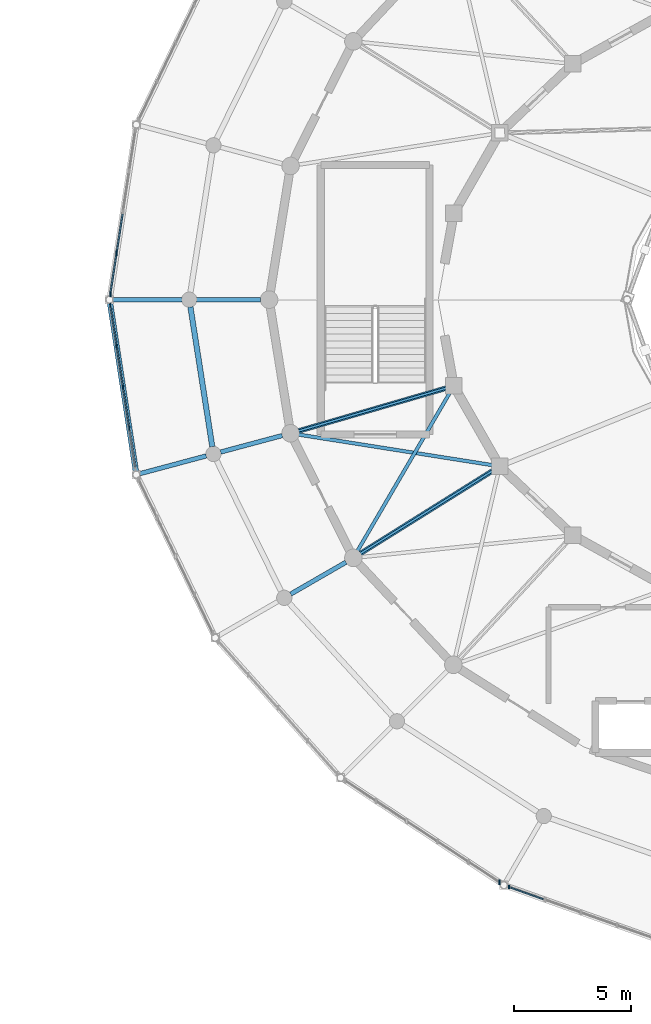
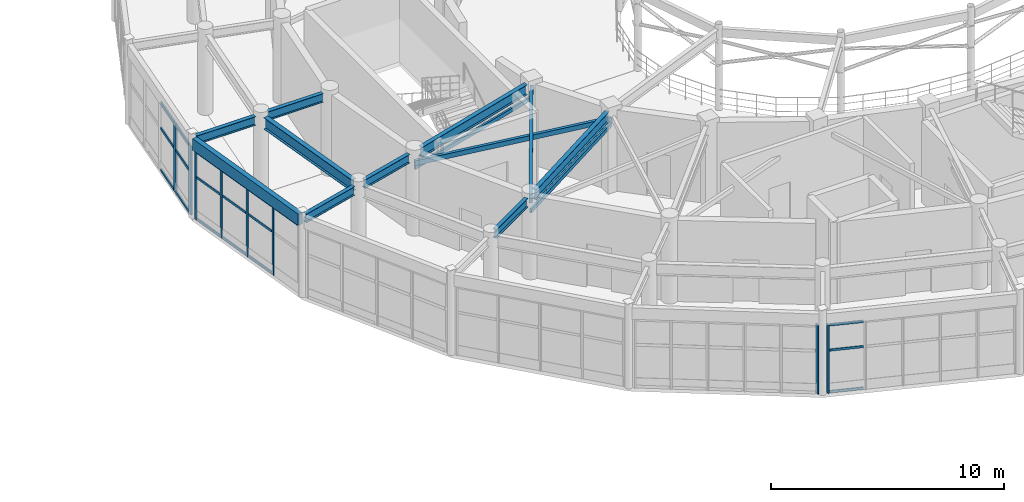
# One storey, part 16 of 60: 31 members, 9 beams, 4 elements without a shape of their own.
"""IFC4 building model written with IfcOpenShell, lengths in metres."""

from ifc_helpers import new_model, si_unit, direction, frame, origin, origin_2d, place, context, subcontext, project, spatial, rectangle, hollow_rectangle, i_section, extrude, material, material_profile, profile_set, type_object, element, aggregate, save


model = new_model("IFC4")

# Units and contexts
model_context = context("Model", 3, precision=1e-05, world=origin(), true_north=direction((0.0, 1.0)))
body_context = subcontext(model_context, "Body", "Model", "MODEL_VIEW")
ifc_project = project(units=[si_unit("LENGTHUNIT", "METRE"), si_unit("AREAUNIT", "SQUARE_METRE"), si_unit("VOLUMEUNIT", "CUBIC_METRE"), si_unit("PLANEANGLEUNIT", "RADIAN"), si_unit("MASSUNIT", "GRAM", prefix="KILO")], contexts=[model_context])

# Site, building, storey
site_placement = place(None, origin())
site = spatial("IfcSite", under=ifc_project, at=site_placement, CompositionType="ELEMENT")
building_placement = place(site_placement, origin())
building = spatial("IfcBuilding", under=site, at=building_placement, Name="Cinderbank Siding Concert Hall", CompositionType="ELEMENT")
storey_placement = place(building_placement, frame((0.0, 0.0, 14.699951171875)))
storey = spatial("IfcBuildingStorey", under=building, at=storey_placement, Name="L04", CompositionType="ELEMENT", Elevation=14.699951171875)

# Beams
ifc_material_1 = material(Name="Structural steel AS/NZS 3679.1 Grade 350 (340 MPa)", Category="steel")
ifc_material_profile_1 = material_profile(ifc_material_1, i_section(OverallWidth=0.19091796875, OverallDepth=0.46044921875, WebThickness=0.010009765625, FlangeThickness=0.01611328125, at=origin_2d()), Name="460UB82.1", Category="LoadBearing")
ifc_profile_set_1 = profile_set([ifc_material_profile_1], Name="Structural steel AS/NZS 3679.1 Grade 350 (340 MPa)")
beam_type_1 = type_object("IfcBeamType", Name="BM-UB460H 460UB82.1", PredefinedType="BEAM", material=ifc_profile_set_1)
for number, where, z_axis, x_axis, name in (
    (1, (94.8330078125, 44.0, 4.03173828125), (-1.0, 0.0, 0.0), (0.0, -1.0, 0.0), "L04 Beam BM-UB460H #723"),
    (2, (95.7587890625, 38.2109375, 4.03173828125), (-0.965934410535, -0.258787006135, 0.0), (0.258787006135, -0.965934410535, 0.0), "L04 Beam BM-UB460H #724"),
):
    element("IfcBeam", number, at=place(storey_placement, frame(where, z_axis=z_axis, x_axis=x_axis)), inside=storey, type_object=beam_type_1, Name=name, PredefinedType="BEAM", context=body_context, shape_type="SweptSolid", body=[
        extrude(i_section(OverallWidth=0.19091796875, OverallDepth=0.46044921875, WebThickness=0.010009765625, FlangeThickness=0.01611328125, at=origin_2d()), origin(), (0.0, 0.0, 1.0), 2.716064453125),
    ])
beam_1_placement = place(storey_placement, frame((98.47265625, 32.81640625, 4.03173828125), z_axis=(-0.866032896488, -0.499987022033, 0.0), x_axis=(0.499987022033, -0.866032896488, 0.0)))
element("IfcBeam", 3, at=beam_1_placement, inside=storey, type_object=beam_type_1, Name="L04 Beam BM-UB460H #725", PredefinedType="BEAM", context=body_context, shape_type="SweptSolid", body=[
    extrude(i_section(OverallWidth=0.19091796875, OverallDepth=0.46044921875, WebThickness=0.010009765625, FlangeThickness=0.01611328125, at=origin_2d()), origin(), (0.0, 0.0, 1.0), 2.7158203125),
])
for number, where, z_axis, x_axis, name in (
    (4, (91.48291015625, 44.0, 4.001953125), (-1.0, 0.0, 0.0), (0.0, -1.0, 0.0), "L04 Beam BM-UB460H #747"),
    (5, (92.522705078125, 37.343994140625, 4.001953125), (-0.965904885504, -0.258897184534, 0.0), (0.258897184534, -0.965904885504, 0.0), "L04 Beam BM-UB460H #748"),
):
    element("IfcBeam", number, at=place(storey_placement, frame(where, z_axis=z_axis, x_axis=x_axis)), inside=storey, type_object=beam_type_1, Name=name, PredefinedType="BEAM", context=body_context, shape_type="SweptSolid", body=[
        extrude(i_section(OverallWidth=0.19091796875, OverallDepth=0.46044921875, WebThickness=0.010009765625, FlangeThickness=0.01611328125, at=origin_2d()), origin(), (0.0, 0.0, 1.0), 2.928955078125),
    ])
ifc_material_profile_2 = material_profile(ifc_material_1, i_section(OverallWidth=0.208984375, OverallDepth=0.532958984375, WebThickness=0.01025390625, FlangeThickness=0.015625, at=origin_2d()), Name="530UB92.4", Category="LoadBearing")
ifc_profile_set_2 = profile_set([ifc_material_profile_2], Name="Structural steel AS/NZS 3679.1 Grade 350 (340 MPa)")
beam_type_2 = type_object("IfcBeamType", Name="BM-UB530H 530UB92.4", PredefinedType="BEAM", material=ifc_profile_set_2)
beam_2_placement = place(storey_placement, frame((102.739501953125, 40.2294921875, 3.985595703125), z_axis=(-0.960350422934, -0.278795740946, 0.0), x_axis=(0.278795740946, -0.960350422934, 0.0)))
element("IfcBeam", 6, at=beam_2_placement, inside=storey, type_object=beam_type_2, Name="L04 Beam BM-UB530H #704", PredefinedType="BEAM", context=body_context, shape_type="SweptSolid", body=[
    extrude(i_section(OverallWidth=0.208984375, OverallDepth=0.532958984375, WebThickness=0.01025390625, FlangeThickness=0.015625, at=origin_2d()), origin(), (0.0, 0.0, 1.0), 6.53271484375),
])
beam_3_placement = place(storey_placement, frame((104.73583984375, 36.718505859375, 3.985595703125), z_axis=(-0.84781868984, -0.530286214376, 0.0), x_axis=(0.530286214376, -0.84781868984, 0.0)))
element("IfcBeam", 7, at=beam_3_placement, inside=storey, type_object=beam_type_2, Name="L04 Beam BM-UB530H #705", PredefinedType="BEAM", context=body_context, shape_type="SweptSolid", body=[
    extrude(i_section(OverallWidth=0.208984375, OverallDepth=0.532958984375, WebThickness=0.01025390625, FlangeThickness=0.015625, at=origin_2d()), origin(), (0.0, 0.0, 1.0), 6.645263671875),
])
ifc_material_profile_3 = material_profile(ifc_material_1, i_section(OverallWidth=0.22802734375, OverallDepth=0.60693359375, WebThickness=0.01123046875, FlangeThickness=0.017333984375, at=origin_2d()), Name="610UB113", Category="LoadBearing")
ifc_profile_set_3 = profile_set([ifc_material_profile_3], Name="Structural steel AS/NZS 3679.1 Grade 350 (340 MPa)")
beam_type_3 = type_object("IfcBeamType", Name="BM-UB610M 610UB113", PredefinedType="BEAM", material=ifc_profile_set_3)
beam_4_placement = place(storey_placement, frame((91.84912109375, 43.686767578125, 3.928466796875), z_axis=(0.154637914322, -0.987971211855, 0.0), x_axis=(0.987971211855, 0.154637914322, 0.0)))
element("IfcBeam", 8, at=beam_4_placement, inside=storey, type_object=beam_type_3, Name="L04 Beam BM-UB610M #664", PredefinedType="BEAM", context=body_context, shape_type="SweptSolid", body=[
    extrude(i_section(OverallWidth=0.22802734375, OverallDepth=0.60693359375, WebThickness=0.01123046875, FlangeThickness=0.017333984375, at=origin_2d()), origin(), (0.0, 0.0, 1.0), 6.02001953125),
])

# Curtain wall, members
ifc_material_2 = material(Name="Anodised aluminium alloy 6063-T6", Category="aluminium")
curtain_wall_type_1 = type_object("IfcCurtainWallType", Name="CW-01 Unitised Acoustic Curtain Wall 8200x4400", PredefinedType="NOTDEFINED", material=ifc_material_2)
curtain_wall_1_placement = place(storey_placement, origin())
curtain_wall_1 = element("IfcCurtainWall", 9, at=curtain_wall_1_placement, inside=storey, type_object=curtain_wall_type_1, Name="L04 Curtain Wall CW-01 #60", PredefinedType="NOTDEFINED")
ifc_material_profile_4 = material_profile(ifc_material_2, rectangle(XDim=0.06005859375, YDim=0.159912109375, at=origin_2d()), Name="ALU-MULL-60x160", Category="LoadBearing")
ifc_profile_set_4 = profile_set([ifc_material_profile_4], Name="Anodised aluminium alloy 6063-T6")
member_type_1 = type_object("IfcMemberType", Name="CW-ML1 Mullion 60x160", PredefinedType="MULLION", material=ifc_profile_set_4)
member_1_placement = place(storey_placement, frame((88.4345703125, 43.775634765625, 0.0), z_axis=(0.0, 0.0, 1.0), x_axis=(1.0, 0.0, 0.0)))
member_1 = element("IfcMember", 10, at=member_1_placement, type_object=member_type_1, Name="CW-L04-060 Mullion 0", PredefinedType="MULLION", context=body_context, shape_type="SweptSolid", body=[
    extrude(rectangle(XDim=0.06005859375, YDim=0.159912109375, at=origin_2d()), origin(), (0.0, 0.0, 1.0), 3.616943359375),
])
member_2_placement = place(storey_placement, frame((88.70361328125, 42.0244140625, 0.0), z_axis=(0.0, 0.0, 1.0), x_axis=(1.0, 0.0, 0.0)))
member_2 = element("IfcMember", 11, at=member_2_placement, type_object=member_type_1, Name="CW-L04-060 Mullion 1", PredefinedType="MULLION", context=body_context, shape_type="SweptSolid", body=[
    extrude(rectangle(XDim=0.06005859375, YDim=0.159912109375, at=origin_2d()), origin(), (0.0, 0.0, 1.0), 3.616943359375),
])
member_3_placement = place(storey_placement, frame((88.972412109375, 40.27294921875, 0.0), z_axis=(0.0, 0.0, 1.0), x_axis=(1.0, 0.0, 0.0)))
member_3 = element("IfcMember", 12, at=member_3_placement, type_object=member_type_1, Name="CW-L04-060 Mullion 2", PredefinedType="MULLION", context=body_context, shape_type="SweptSolid", body=[
    extrude(rectangle(XDim=0.06005859375, YDim=0.159912109375, at=origin_2d()), origin(), (0.0, 0.0, 1.0), 3.616943359375),
])
member_4_placement = place(storey_placement, frame((89.241455078125, 38.521728515625, 0.0), z_axis=(0.0, 0.0, 1.0), x_axis=(1.0, 0.0, 0.0)))
member_4 = element("IfcMember", 13, at=member_4_placement, type_object=member_type_1, Name="CW-L04-060 Mullion 3", PredefinedType="MULLION", context=body_context, shape_type="SweptSolid", body=[
    extrude(rectangle(XDim=0.06005859375, YDim=0.159912109375, at=origin_2d()), origin(), (0.0, 0.0, 1.0), 3.616943359375),
])

# Curtain wall, member
curtain_wall_type_2 = type_object("IfcCurtainWallType", Name="CW-05 Unitised Acoustic Curtain Wall 8200x3800", PredefinedType="NOTDEFINED", material=ifc_material_2)
curtain_wall_2_placement = place(storey_placement, origin())
curtain_wall_2 = element("IfcCurtainWall", 14, at=curtain_wall_2_placement, inside=storey, type_object=curtain_wall_type_2, Name="L04 Curtain Wall CW-05 #64", PredefinedType="NOTDEFINED")
member_5_placement = place(storey_placement, frame((105.413818359375, 18.982666015625, 0.0), z_axis=(0.0, 0.0, 1.0), x_axis=(1.0, 0.0, 0.0)))
member_5 = element("IfcMember", 15, at=member_5_placement, type_object=member_type_1, Name="CW-L04-064 Mullion 0", PredefinedType="MULLION", context=body_context, shape_type="SweptSolid", body=[
    extrude(rectangle(XDim=0.06005859375, YDim=0.159912109375, at=origin_2d()), origin(), (0.0, 0.0, 1.0), 3.616943359375),
])

# Curtain wall, members
curtain_wall_type_3 = type_object("IfcCurtainWallType", Name="CW-12 Unitised Acoustic Curtain Wall 5800x3500", PredefinedType="NOTDEFINED", material=ifc_material_2)
curtain_wall_3_placement = place(storey_placement, origin())
curtain_wall_3 = element("IfcCurtainWall", 16, at=curtain_wall_3_placement, inside=storey, type_object=curtain_wall_type_3, Name="L04 Curtain Wall CW-12 #59", PredefinedType="NOTDEFINED")
ifc_material_profile_5 = material_profile(ifc_material_2, rectangle(XDim=0.06494140625, YDim=0.199951171875, at=origin_2d()), Name="ALU-MULL-65x200", Category="LoadBearing")
ifc_profile_set_5 = profile_set([ifc_material_profile_5], Name="Anodised aluminium alloy 6063-T6")
member_type_2 = type_object("IfcMemberType", Name="CW-ML2 Mullion 65x200", PredefinedType="MULLION", material=ifc_profile_set_5)
member_6_placement = place(storey_placement, frame((88.70361328125, 45.9755859375, 0.0), z_axis=(0.0, 0.0, 1.0), x_axis=(1.0, 0.0, 0.0)))
member_6 = element("IfcMember", 17, at=member_6_placement, type_object=member_type_2, Name="CW-L04-059 Mullion 3", PredefinedType="MULLION", context=body_context, shape_type="SweptSolid", body=[
    extrude(rectangle(XDim=0.06494140625, YDim=0.199951171875, at=origin_2d()), origin(), (0.0, 0.0, 1.0), 3.616943359375),
])
member_7_placement = place(storey_placement, frame((88.4345703125, 44.224365234375, 0.0), z_axis=(0.0, 0.0, 1.0), x_axis=(1.0, 0.0, 0.0)))
member_7 = element("IfcMember", 18, at=member_7_placement, type_object=member_type_2, Name="CW-L04-059 Mullion 4", PredefinedType="MULLION", context=body_context, shape_type="SweptSolid", body=[
    extrude(rectangle(XDim=0.06494140625, YDim=0.199951171875, at=origin_2d()), origin(), (0.0, 0.0, 1.0), 3.616943359375),
])

# Curtain wall, member
curtain_wall_type_4 = type_object("IfcCurtainWallType", Name="CW-04 Unitised Acoustic Curtain Wall 7000x4400", PredefinedType="NOTDEFINED", material=ifc_material_2)
curtain_wall_4_placement = place(storey_placement, origin())
curtain_wall_4 = element("IfcCurtainWall", 19, at=curtain_wall_4_placement, inside=storey, type_object=curtain_wall_type_4, Name="L04 Curtain Wall CW-04 #63", PredefinedType="NOTDEFINED")
member_8_placement = place(storey_placement, frame((105.010498046875, 19.18310546875, 0.0), z_axis=(0.0, 0.0, 1.0), x_axis=(1.0, 0.0, 0.0)))
member_8 = element("IfcMember", 20, at=member_8_placement, type_object=member_type_2, Name="CW-L04-063 Mullion 5", PredefinedType="MULLION", context=body_context, shape_type="SweptSolid", body=[
    extrude(rectangle(XDim=0.06494140625, YDim=0.199951171875, at=origin_2d()), origin(), (0.0, 0.0, 1.0), 3.616943359375),
])
aggregate(curtain_wall_4, [member_8])

# Member
ifc_material_profile_6 = material_profile(ifc_material_2, rectangle(XDim=0.06005859375, YDim=0.1201171875, at=origin_2d()), Name="ALU-TRAN-60x120", Category="LoadBearing")
ifc_profile_set_6 = profile_set([ifc_material_profile_6], Name="Anodised aluminium alloy 6063-T6")
member_type_3 = type_object("IfcMemberType", Name="CW-TR1 Transom 60x120", PredefinedType="USERDEFINED", material=ifc_profile_set_6)
member_9_placement = place(storey_placement, frame((88.447998046875, 43.68798828125, 0.06005859375), z_axis=(0.151723538324, -0.988422970149, 0.0), x_axis=(0.988422970149, 0.151723538324, 0.0)))
member_9 = element("IfcMember", 21, at=member_9_placement, type_object=member_type_3, Name="CW-L04-060 Transom 0-0", ObjectType="TRANSOM", PredefinedType="USERDEFINED", context=body_context, shape_type="SweptSolid", body=[
    extrude(rectangle(XDim=0.06005859375, YDim=0.1201171875, at=origin_2d()), origin(), (0.0, 0.0, 1.0), 1.5947265625),
])

member_10_placement = place(storey_placement, frame((88.447998046875, 43.68798828125, 2.242431640625), z_axis=(0.151723538324, -0.988422970149, 0.0), x_axis=(0.988422970149, 0.151723538324, 0.0)))
member_10 = element("IfcMember", 22, at=member_10_placement, type_object=member_type_3, Name="CW-L04-060 Transom 0-1", ObjectType="TRANSOM", PredefinedType="USERDEFINED", context=body_context, shape_type="SweptSolid", body=[
    extrude(rectangle(XDim=0.06005859375, YDim=0.1201171875, at=origin_2d()), origin(), (0.0, 0.0, 1.0), 1.5947265625),
])

member_11_placement = place(storey_placement, frame((88.447998046875, 43.68798828125, 3.55712890625), z_axis=(0.151723538324, -0.988422970149, 0.0), x_axis=(0.988422970149, 0.151723538324, 0.0)))
member_11 = element("IfcMember", 23, at=member_11_placement, type_object=member_type_3, Name="CW-L04-060 Transom 0-2", ObjectType="TRANSOM", PredefinedType="USERDEFINED", context=body_context, shape_type="SweptSolid", body=[
    extrude(rectangle(XDim=0.06005859375, YDim=0.1201171875, at=origin_2d()), origin(), (0.0, 0.0, 1.0), 1.5947265625),
])

member_12_placement = place(storey_placement, frame((88.716796875, 41.936767578125, 0.06005859375), z_axis=(0.151873110161, -0.988399999196, 0.0), x_axis=(0.988399999196, 0.151873110161, 0.0)))
member_12 = element("IfcMember", 24, at=member_12_placement, type_object=member_type_3, Name="CW-L04-060 Transom 1-0", ObjectType="TRANSOM", PredefinedType="USERDEFINED", context=body_context, shape_type="SweptSolid", body=[
    extrude(rectangle(XDim=0.06005859375, YDim=0.1201171875, at=origin_2d()), origin(), (0.0, 0.0, 1.0), 1.5947265625),
])

member_13_placement = place(storey_placement, frame((88.716796875, 41.936767578125, 2.242431640625), z_axis=(0.151873110161, -0.988399999196, 0.0), x_axis=(0.988399999196, 0.151873110161, 0.0)))
member_13 = element("IfcMember", 25, at=member_13_placement, type_object=member_type_3, Name="CW-L04-060 Transom 1-1", ObjectType="TRANSOM", PredefinedType="USERDEFINED", context=body_context, shape_type="SweptSolid", body=[
    extrude(rectangle(XDim=0.06005859375, YDim=0.1201171875, at=origin_2d()), origin(), (0.0, 0.0, 1.0), 1.5947265625),
])

member_14_placement = place(storey_placement, frame((88.716796875, 41.936767578125, 3.55712890625), z_axis=(0.151873110161, -0.988399999196, 0.0), x_axis=(0.988399999196, 0.151873110161, 0.0)))
member_14 = element("IfcMember", 26, at=member_14_placement, type_object=member_type_3, Name="CW-L04-060 Transom 1-2", ObjectType="TRANSOM", PredefinedType="USERDEFINED", context=body_context, shape_type="SweptSolid", body=[
    extrude(rectangle(XDim=0.06005859375, YDim=0.1201171875, at=origin_2d()), origin(), (0.0, 0.0, 1.0), 1.5947265625),
])

member_15_placement = place(storey_placement, frame((88.98583984375, 40.185302734375, 0.06005859375), z_axis=(0.151873110161, -0.988399999196, 0.0), x_axis=(0.988399999196, 0.151873110161, 0.0)))
member_15 = element("IfcMember", 27, at=member_15_placement, type_object=member_type_3, Name="CW-L04-060 Transom 2-0", ObjectType="TRANSOM", PredefinedType="USERDEFINED", context=body_context, shape_type="SweptSolid", body=[
    extrude(rectangle(XDim=0.06005859375, YDim=0.1201171875, at=origin_2d()), origin(), (0.0, 0.0, 1.0), 1.5947265625),
])

member_16_placement = place(storey_placement, frame((88.98583984375, 40.185302734375, 2.242431640625), z_axis=(0.151873110161, -0.988399999196, 0.0), x_axis=(0.988399999196, 0.151873110161, 0.0)))
member_16 = element("IfcMember", 28, at=member_16_placement, type_object=member_type_3, Name="CW-L04-060 Transom 2-1", ObjectType="TRANSOM", PredefinedType="USERDEFINED", context=body_context, shape_type="SweptSolid", body=[
    extrude(rectangle(XDim=0.06005859375, YDim=0.1201171875, at=origin_2d()), origin(), (0.0, 0.0, 1.0), 1.5947265625),
])

member_17_placement = place(storey_placement, frame((88.98583984375, 40.185302734375, 3.55712890625), z_axis=(0.151873110161, -0.988399999196, 0.0), x_axis=(0.988399999196, 0.151873110161, 0.0)))
member_17 = element("IfcMember", 29, at=member_17_placement, type_object=member_type_3, Name="CW-L04-060 Transom 2-2", ObjectType="TRANSOM", PredefinedType="USERDEFINED", context=body_context, shape_type="SweptSolid", body=[
    extrude(rectangle(XDim=0.06005859375, YDim=0.1201171875, at=origin_2d()), origin(), (0.0, 0.0, 1.0), 1.5947265625),
])

member_18_placement = place(storey_placement, frame((89.2548828125, 38.43408203125, 3.55712890625), z_axis=(0.151873110161, -0.988399999196, 0.0), x_axis=(0.988399999196, 0.151873110161, 0.0)))
member_18 = element("IfcMember", 30, at=member_18_placement, type_object=member_type_3, Name="CW-L04-060 Transom 3-2", ObjectType="TRANSOM", PredefinedType="USERDEFINED", context=body_context, shape_type="SweptSolid", body=[
    extrude(rectangle(XDim=0.06005859375, YDim=0.1201171875, at=origin_2d()), origin(), (0.0, 0.0, 1.0), 1.5947265625),
])

aggregate(curtain_wall_1, [member_1, member_2, member_3, member_4, member_9, member_10, member_11, member_12, member_13, member_14, member_15, member_16, member_17, member_18])

member_19_placement = place(storey_placement, frame((105.490478515625, 18.955322265625, 0.06005859375), z_axis=(0.942395579657, -0.334500480482, 0.0), x_axis=(0.334500480482, 0.942395579657, 0.0)))
member_19 = element("IfcMember", 31, at=member_19_placement, type_object=member_type_3, Name="CW-L04-064 Transom 0-0", ObjectType="TRANSOM", PredefinedType="USERDEFINED", context=body_context, shape_type="SweptSolid", body=[
    extrude(rectangle(XDim=0.06005859375, YDim=0.1201171875, at=origin_2d()), origin(), (0.0, 0.0, 1.0), 1.46630859375),
])

member_20_placement = place(storey_placement, frame((105.490478515625, 18.955322265625, 2.242431640625), z_axis=(0.942395579657, -0.334500480482, 0.0), x_axis=(0.334500480482, 0.942395579657, 0.0)))
member_20 = element("IfcMember", 32, at=member_20_placement, type_object=member_type_3, Name="CW-L04-064 Transom 0-1", ObjectType="TRANSOM", PredefinedType="USERDEFINED", context=body_context, shape_type="SweptSolid", body=[
    extrude(rectangle(XDim=0.06005859375, YDim=0.1201171875, at=origin_2d()), origin(), (0.0, 0.0, 1.0), 1.46630859375),
])

member_21_placement = place(storey_placement, frame((105.490478515625, 18.955322265625, 3.55712890625), z_axis=(0.942395579657, -0.334500480482, 0.0), x_axis=(0.334500480482, 0.942395579657, 0.0)))
member_21 = element("IfcMember", 33, at=member_21_placement, type_object=member_type_3, Name="CW-L04-064 Transom 0-2", ObjectType="TRANSOM", PredefinedType="USERDEFINED", context=body_context, shape_type="SweptSolid", body=[
    extrude(rectangle(XDim=0.06005859375, YDim=0.1201171875, at=origin_2d()), origin(), (0.0, 0.0, 1.0), 1.46630859375),
])

aggregate(curtain_wall_2, [member_5, member_19, member_20, member_21])

ifc_material_profile_7 = material_profile(ifc_material_2, rectangle(XDim=0.06494140625, YDim=0.14990234375, at=origin_2d()), Name="ALU-TRAN-65x150", Category="LoadBearing")
ifc_profile_set_7 = profile_set([ifc_material_profile_7], Name="Anodised aluminium alloy 6063-T6")
member_type_4 = type_object("IfcMemberType", Name="CW-TR2 Transom 65x150", PredefinedType="USERDEFINED", material=ifc_profile_set_7)
member_22_placement = place(storey_placement, frame((88.958984375, 47.639404296875, 0.06005859375), z_axis=(-0.151873110161, -0.988399999196, 0.0), x_axis=(0.988399999196, -0.151873110161, 0.0)))
member_22 = element("IfcMember", 34, at=member_22_placement, type_object=member_type_4, Name="CW-L04-059 Transom 2-0", ObjectType="TRANSOM", PredefinedType="USERDEFINED", context=body_context, shape_type="SweptSolid", body=[
    extrude(rectangle(XDim=0.06494140625, YDim=0.14990234375, at=origin_2d()), origin(), (0.0, 0.0, 1.0), 1.5947265625),
])

member_23_placement = place(storey_placement, frame((88.958984375, 47.639404296875, 2.242431640625), z_axis=(-0.151873110161, -0.988399999196, 0.0), x_axis=(0.988399999196, -0.151873110161, 0.0)))
member_23 = element("IfcMember", 35, at=member_23_placement, type_object=member_type_4, Name="CW-L04-059 Transom 2-1", ObjectType="TRANSOM", PredefinedType="USERDEFINED", context=body_context, shape_type="SweptSolid", body=[
    extrude(rectangle(XDim=0.06494140625, YDim=0.14990234375, at=origin_2d()), origin(), (0.0, 0.0, 1.0), 1.5947265625),
])

member_24_placement = place(storey_placement, frame((88.958984375, 47.639404296875, 3.55712890625), z_axis=(-0.151873110161, -0.988399999196, 0.0), x_axis=(0.988399999196, -0.151873110161, 0.0)))
member_24 = element("IfcMember", 36, at=member_24_placement, type_object=member_type_4, Name="CW-L04-059 Transom 2-2", ObjectType="TRANSOM", PredefinedType="USERDEFINED", context=body_context, shape_type="SweptSolid", body=[
    extrude(rectangle(XDim=0.06494140625, YDim=0.14990234375, at=origin_2d()), origin(), (0.0, 0.0, 1.0), 1.5947265625),
])

member_25_placement = place(storey_placement, frame((88.68994140625, 45.88818359375, 0.06005859375), z_axis=(-0.151723538324, -0.988422970149, 0.0), x_axis=(0.988422970149, -0.151723538324, 0.0)))
member_25 = element("IfcMember", 37, at=member_25_placement, type_object=member_type_4, Name="CW-L04-059 Transom 3-0", ObjectType="TRANSOM", PredefinedType="USERDEFINED", context=body_context, shape_type="SweptSolid", body=[
    extrude(rectangle(XDim=0.06494140625, YDim=0.14990234375, at=origin_2d()), origin(), (0.0, 0.0, 1.0), 1.5947265625),
])

member_26_placement = place(storey_placement, frame((88.68994140625, 45.88818359375, 2.242431640625), z_axis=(-0.151723538324, -0.988422970149, 0.0), x_axis=(0.988422970149, -0.151723538324, 0.0)))
member_26 = element("IfcMember", 38, at=member_26_placement, type_object=member_type_4, Name="CW-L04-059 Transom 3-1", ObjectType="TRANSOM", PredefinedType="USERDEFINED", context=body_context, shape_type="SweptSolid", body=[
    extrude(rectangle(XDim=0.06494140625, YDim=0.14990234375, at=origin_2d()), origin(), (0.0, 0.0, 1.0), 1.5947265625),
])

member_27_placement = place(storey_placement, frame((88.68994140625, 45.88818359375, 3.55712890625), z_axis=(-0.151723538324, -0.988422970149, 0.0), x_axis=(0.988422970149, -0.151723538324, 0.0)))
member_27 = element("IfcMember", 39, at=member_27_placement, type_object=member_type_4, Name="CW-L04-059 Transom 3-2", ObjectType="TRANSOM", PredefinedType="USERDEFINED", context=body_context, shape_type="SweptSolid", body=[
    extrude(rectangle(XDim=0.06494140625, YDim=0.14990234375, at=origin_2d()), origin(), (0.0, 0.0, 1.0), 1.5947265625),
])

aggregate(curtain_wall_3, [member_6, member_7, member_22, member_23, member_24, member_25, member_26, member_27])

# Members
ifc_material_3 = material(Name="Structural steel hollow section AS/NZS 1163 Grade C350L0 (350 MPa)", Category="steel")
ifc_material_profile_8 = material_profile(ifc_material_3, hollow_rectangle(XDim=0.10009765625, YDim=0.199951171875, WallThickness=0.008056640625, at=origin_2d()), Name="200x100x8.0RHS", Category="LoadBearing")
ifc_profile_set_8 = profile_set([ifc_material_profile_8], Name="Structural steel hollow section AS/NZS 1163 Grade C350L0 (350 MPa)")
member_type_5 = type_object("IfcMemberType", Name="PR-RHS200 200x100x8.0RHS Roof Truss", PredefinedType="PURLIN", material=ifc_profile_set_8)
member_28_placement = place(storey_placement, frame((103.06787109375, 40.32470703125, 3.340087890625), z_axis=(-0.960356417746, -0.278775090161, 0.0), x_axis=(0.278775090161, -0.960356417746, 0.0)))
element("IfcMember", 40, at=member_28_placement, inside=storey, type_object=member_type_5, Name="L04 Roof Truss Member PR-RHS200 #2283", PredefinedType="PURLIN", context=body_context, shape_type="SweptSolid", body=[
    extrude(hollow_rectangle(XDim=0.10009765625, YDim=0.199951171875, WallThickness=0.008056640625, at=origin_2d()), origin(), (0.0, 0.0, 1.0), 7.24169921875),
])
member_29_placement = place(storey_placement, frame((105.02587890625, 36.89990234375, 3.340087890625), z_axis=(-0.847826684568, -0.530273432235, 0.0), x_axis=(0.530273432235, -0.847826684568, 0.0)))
element("IfcMember", 41, at=member_29_placement, inside=storey, type_object=member_type_5, Name="L04 Roof Truss Member PR-RHS200 #2286", PredefinedType="PURLIN", context=body_context, shape_type="SweptSolid", body=[
    extrude(hollow_rectangle(XDim=0.10009765625, YDim=0.199951171875, WallThickness=0.008056640625, at=origin_2d()), origin(), (0.0, 0.0, 1.0), 7.3544921875),
])

# Beam
ifc_material_4 = material(Name="Spotted gum glulam timber GL18 (42 MPa)", Category="wood")
ifc_material_profile_9 = material_profile(ifc_material_4, rectangle(XDim=0.239990234375, YDim=0.60009765625, at=origin_2d()), Name="GL18-240x600", Category="LoadBearing")
ifc_profile_set_9 = profile_set([ifc_material_profile_9], Name="Spotted gum glulam timber GL18 (42 MPa)")
beam_type_4 = type_object("IfcBeamType", Name="SP-GL600 GL18-240x600", PredefinedType="SPANDREL", material=ifc_profile_set_9)
beam_5_placement = place(storey_placement, frame((88.42333984375, 43.847900390625, 3.93212890625), z_axis=(0.151813701486, -0.988409125839, 0.0), x_axis=(0.988409125839, 0.151813701486, 0.0)))
element("IfcBeam", 42, at=beam_5_placement, inside=storey, type_object=beam_type_4, Name="L04 Beam SP-GL600 #688", PredefinedType="SPANDREL", context=body_context, shape_type="SweptSolid", body=[
    extrude(rectangle(XDim=0.239990234375, YDim=0.60009765625, at=origin_2d()), origin(), (0.0, 0.0, 1.0), 7.2333984375),
])

# Members
ifc_material_profile_10 = material_profile(ifc_material_3, hollow_rectangle(XDim=0.14990234375, YDim=0.25, WallThickness=0.009033203125, at=origin_2d()), Name="250x150x9.0RHS", Category="LoadBearing")
ifc_profile_set_10 = profile_set([ifc_material_profile_10], Name="Structural steel hollow section AS/NZS 1163 Grade C350L0 (350 MPa)")
member_type_6 = type_object("IfcMemberType", Name="TR-RHS250 250x150x9.0RHS Roof Truss", PredefinedType="RAFTER", material=ifc_profile_set_10)
member_30_placement = place(storey_placement, frame((103.06787109375, 40.32470703125, 3.880126953125), z_axis=(-0.50427542144, -0.863542876372, 0.0), x_axis=(0.863542876372, -0.50427542144, 0.0)))
element("IfcMember", 43, at=member_30_placement, inside=storey, type_object=member_type_6, Name="L04 Roof Truss Member TR-RHS250 #2281", PredefinedType="RAFTER", context=body_context, shape_type="SweptSolid", body=[
    extrude(hollow_rectangle(XDim=0.14990234375, YDim=0.25, WallThickness=0.009033203125, at=origin_2d()), origin(), (0.0, 0.0, 1.0), 8.482177734375),
])
member_31_placement = place(storey_placement, frame((105.02587890625, 36.89990234375, 3.60009765625), z_axis=(-0.987784236991, 0.155827793262, 0.0), x_axis=(-0.155827793262, -0.987784236991, 0.0)))
element("IfcMember", 44, at=member_31_placement, inside=storey, type_object=member_type_6, Name="L04 Roof Truss Member TR-RHS250 #2282", PredefinedType="RAFTER", context=body_context, shape_type="SweptSolid", body=[
    extrude(hollow_rectangle(XDim=0.14990234375, YDim=0.25, WallThickness=0.009033203125, at=origin_2d()), origin(), (0.0, 0.0, 1.0), 9.022705078125),
])

save(model, "model.ifc")
